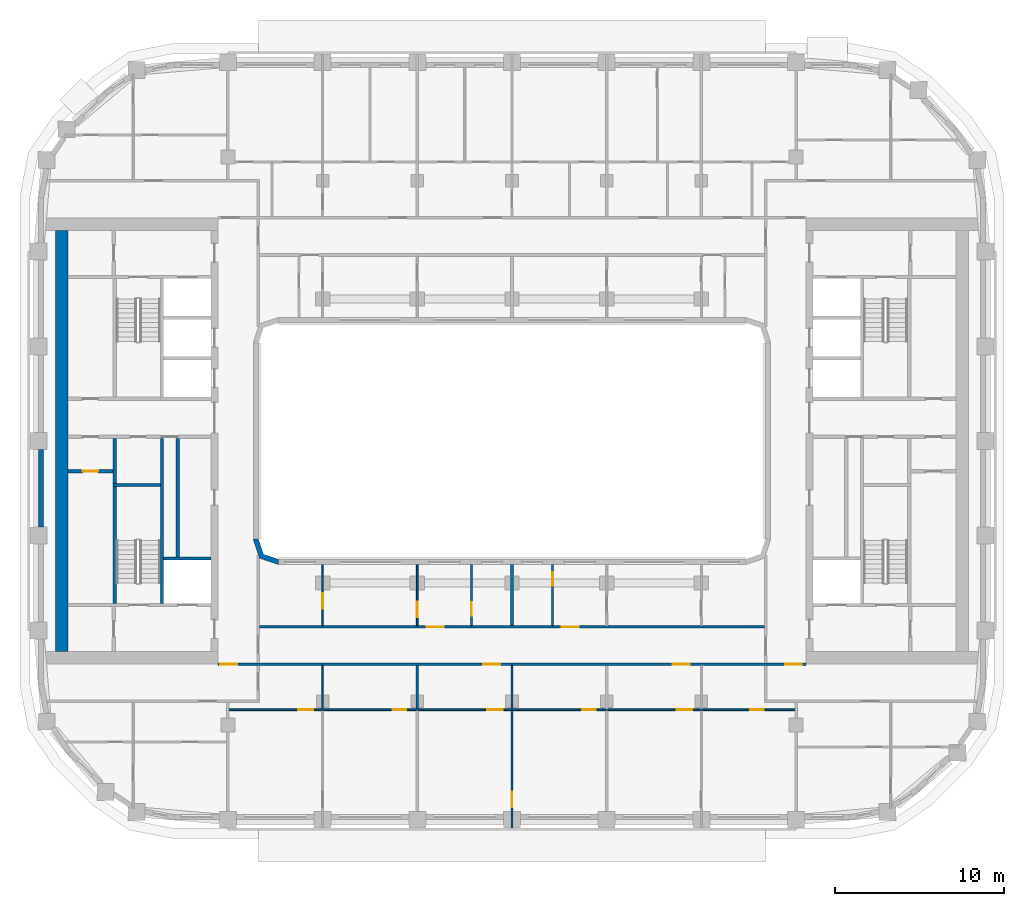
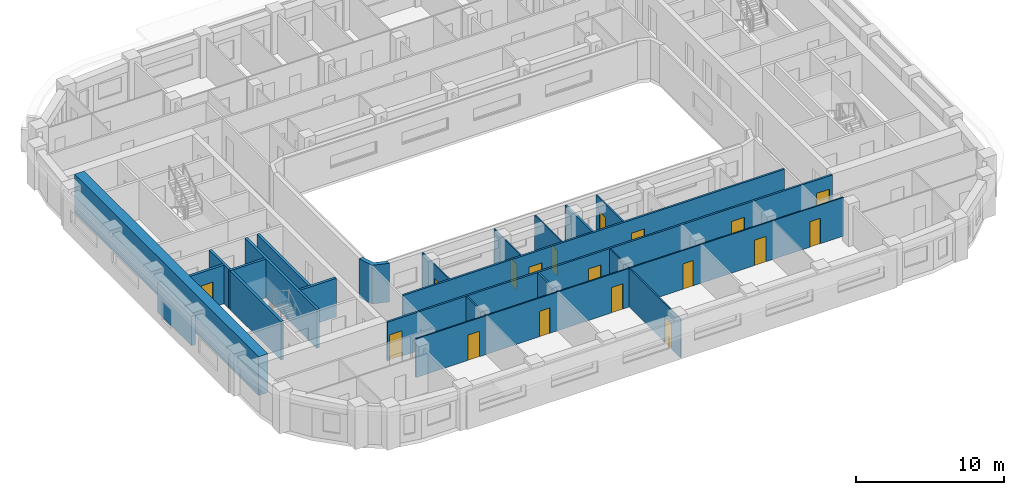
# One storey, part 3 of 22: 22 walls, 18 doors, 18 openings.
"""IFC4 building model written with IfcOpenShell, lengths in metres."""

from ifc_helpers import new_model, si_unit, direction, frame, frame_2d, origin, place, context, subcontext, project, spatial, polyline, rectangle, outline, extrude, material, layer, layer_set, type_object, element, fill, save


model = new_model("IFC4")

# Units and contexts
model_context = context("Model", 3, precision=1e-05, world=origin(), true_north=direction((0.0, 1.0)))
body_context = subcontext(model_context, "Body", "Model", "MODEL_VIEW")
ifc_project = project(units=[si_unit("LENGTHUNIT", "METRE"), si_unit("AREAUNIT", "SQUARE_METRE"), si_unit("VOLUMEUNIT", "CUBIC_METRE"), si_unit("PLANEANGLEUNIT", "RADIAN"), si_unit("MASSUNIT", "GRAM", prefix="KILO")], contexts=[model_context])

# Site, building, storey
site_placement = place(None, origin())
site = spatial("IfcSite", under=ifc_project, at=site_placement, CompositionType="ELEMENT")
building_placement = place(site_placement, origin())
building = spatial("IfcBuilding", under=site, at=building_placement, Name="Kiln Ring Residences", CompositionType="ELEMENT")
storey_placement = place(building_placement, frame((0.0, 0.0, 167.60009765625)))
storey = spatial("IfcBuildingStorey", under=building, at=storey_placement, Name="L43", CompositionType="ELEMENT", Elevation=167.60009765625)

# Walls
ifc_material_1 = material(Name="Gypsum board on steel studs", Category="steel")
ifc_layer_1 = layer(ifc_material_1, 0.199951171875)
ifc_layer_set_1 = layer_set([ifc_layer_1], Name="CORE-PARTITION-200")
wall_type_1 = type_object("IfcWallType", Name="CORE-PARTITION-200", PredefinedType="PARTITIONING", material=ifc_layer_set_1)
wall_1_placement = place(storey_placement, frame((-23.5, -2.5, 0.0), z_axis=(0.0, 0.0, 1.0), x_axis=(0.0, 1.0, 0.0)))
element("IfcWall", 1, at=wall_1_placement, inside=storey, type_object=wall_type_1, Name="Core partition west L43 1", PredefinedType="PARTITIONING", context=body_context, shape_type="SweptSolid", body=[
    extrude(rectangle(XDim=2.64990234375, YDim=0.199951171875, at=frame_2d((1.324951171875, 0.0))), origin(), (0.0, 0.0, 1.0), 3.199951171875),
])
wall_2_placement = place(storey_placement, frame((-19.760009765625, -6.85009765625, 0.0), z_axis=(0.0, 0.0, 1.0), x_axis=(0.0, 1.0, 0.0)))
element("IfcWall", 2, at=wall_2_placement, inside=storey, type_object=wall_type_1, Name="Core partition west L43 3", PredefinedType="PARTITIONING", context=body_context, shape_type="SweptSolid", body=[
    extrude(rectangle(XDim=7.0, YDim=0.199951171875, at=frame_2d((3.5, 0.0))), origin(), (0.0, 0.0, 1.0), 3.199951171875),
])

# Wall, opening, door
wall_3_placement = place(storey_placement, frame((-23.60009765625, -1.800048828125, 0.0), z_axis=(0.0, 0.0, 1.0), x_axis=(-1.0, 0.0, 0.0)))
wall_3 = element("IfcWall", 3, at=wall_3_placement, inside=storey, type_object=wall_type_1, Name="Core partition west L43 6", PredefinedType="PARTITIONING", context=body_context, shape_type="SweptSolid", body=[
    extrude(rectangle(XDim=2.64990234375, YDim=0.199951171875, at=frame_2d((1.324951171875, 0.0))), origin(), (0.0, 0.0, 1.0), 3.199951171875),
])
opening_1_placement = place(wall_3_placement, frame((0.875, 0.0, 0.0)))
opening_1 = element("IfcOpeningElement", 4, at=opening_1_placement, cuts=wall_3, Name="Opening L43-CW15", PredefinedType="OPENING", context=body_context, shape_type="SweptSolid", body=[
    extrude(rectangle(XDim=0.89990234375, YDim=2.10009765625, at=frame_2d((0.449951171875, 1.050048828125))), frame((0.0, 0.10986328125, 0.0), z_axis=(0.0, -1.0, 0.0), x_axis=(1.0, 0.0, 0.0)), (0.0, 0.0, 1.0), 0.219970703125),
])
ifc_material_2 = material(Name="Steel door leaf", Category="steel")
door_type_1 = type_object("IfcDoorType", Name="CORE-DOOR-ROOM", OperationType="SINGLE_SWING_LEFT", PredefinedType="DOOR", material=ifc_material_2)
door_1_placement = place(opening_1_placement, origin())
door_1 = element("IfcDoor", 5, at=door_1_placement, inside=storey, type_object=door_type_1, Name="Pump and valve room L43-CW15", OperationType="SINGLE_SWING_RIGHT", OverallHeight=2.10009765625, OverallWidth=0.89990234375, PredefinedType="DOOR", context=body_context, shape_type="SweptSolid", body=[
    extrude(rectangle(XDim=0.89990234375, YDim=2.10009765625, at=frame_2d((0.449951171875, 1.050048828125))), frame((0.0, 0.02490234375, 0.0), z_axis=(0.0, -1.0, 0.0), x_axis=(1.0, 0.0, 0.0)), (0.0, 0.0, 1.0), 0.050048828125),
])
fill(opening_1, door_1)

# Walls
ifc_material_3 = material(Name="Gypsum shaft wall system")
ifc_layer_2 = layer(ifc_material_3, 0.199951171875)
ifc_layer_set_2 = layer_set([ifc_layer_2], Name="CORE-SHAFT-WALL-200")
wall_type_2 = type_object("IfcWallType", Name="CORE-SHAFT-WALL-200", PredefinedType="PARTITIONING", material=ifc_layer_set_2)
wall_4_placement = place(storey_placement, frame((-17.800048828125, -6.949951171875, 0.0), z_axis=(0.0, 0.0, 1.0), x_axis=(-1.0, 0.0, 0.0)))
element("IfcWall", 6, at=wall_4_placement, inside=storey, type_object=wall_type_2, Name="Core partition west L43 7", PredefinedType="PARTITIONING", context=body_context, shape_type="SweptSolid", body=[
    extrude(rectangle(XDim=2.800048828125, YDim=0.199951171875, at=frame_2d((1.39990234375, 0.0))), origin(), (0.0, 0.0, 1.0), 3.199951171875),
])
ifc_material_4 = material(Name="Concrete C40/50", Category="concrete")
ifc_layer_3 = layer(ifc_material_4, 0.199951171875)
ifc_layer_set_3 = layer_set([ifc_layer_3], Name="CORE-WALL-RC200")
wall_type_3 = type_object("IfcWallType", Name="CORE-WALL-RC200", PredefinedType="SHEAR", material=ifc_layer_set_3)
wall_5_placement = place(storey_placement, frame((-20.699951171875, -9.60009765625, 0.0), z_axis=(0.0, 0.0, 1.0), x_axis=(0.0, 1.0, 0.0)))
element("IfcWall", 7, at=wall_5_placement, inside=storey, type_object=wall_type_3, Name="Core wall west L43 2", PredefinedType="SHEAR", context=body_context, shape_type="SweptSolid", body=[
    extrude(rectangle(XDim=9.75, YDim=0.199951171875, at=frame_2d((4.875, 0.0))), origin(), (0.0, 0.0, 1.0), 3.199951171875),
])
wall_6_placement = place(storey_placement, frame((-23.5, -9.60009765625, 0.0), z_axis=(0.0, 0.0, 1.0), x_axis=(0.0, 1.0, 0.0)))
element("IfcWall", 8, at=wall_6_placement, inside=storey, type_object=wall_type_3, Name="Core wall west L43 11", PredefinedType="SHEAR", context=body_context, shape_type="SweptSolid", body=[
    extrude(rectangle(XDim=6.900146484375, YDim=0.199951171875, at=frame_2d((3.4501953125, 0.0))), origin(), (0.0, 0.0, 1.0), 3.199951171875),
])
wall_7_placement = place(storey_placement, frame((-20.800048828125, -2.60009765625, 0.0), z_axis=(0.0, 0.0, 1.0), x_axis=(-1.0, 0.0, 0.0)))
element("IfcWall", 9, at=wall_7_placement, inside=storey, type_object=wall_type_3, Name="Core wall west L43 12", PredefinedType="SHEAR", context=body_context, shape_type="SweptSolid", body=[
    extrude(rectangle(XDim=2.800048828125, YDim=0.199951171875, at=frame_2d((1.39990234375, 0.0))), origin(), (0.0, 0.0, 1.0), 3.199951171875),
])
ifc_material_5 = material(Name="Concrete C60/75", Category="concrete")
ifc_layer_4 = layer(ifc_material_5, 0.75)
ifc_layer_set_4 = layer_set([ifc_layer_4], Name="CORE-WALL-RC750")
wall_type_4 = type_object("IfcWallType", Name="CORE-WALL-RC750", PredefinedType="SHEAR", material=ifc_layer_set_4)
wall_8_placement = place(storey_placement, frame((-26.625, -12.449951171875, 0.0), z_axis=(0.0, 0.0, 1.0), x_axis=(0.0, 1.0, 0.0)))
element("IfcWall", 10, at=wall_8_placement, inside=storey, type_object=wall_type_4, Name="Core wall west L43 7", PredefinedType="SHEAR", context=body_context, shape_type="SweptSolid", body=[
    extrude(rectangle(XDim=24.89990234375, YDim=0.75, at=frame_2d((12.449951171875, 0.0))), origin(), (0.0, 0.0, 1.0), 3.199951171875),
])
ifc_material_6 = material(Name="Brick masonry, dark clay brick", Category="masonry")
ifc_layer_5 = layer(ifc_material_6, 0.300048828125)
ifc_layer_set_5 = layer_set([ifc_layer_5], Name="EW-300 BRICK WALL")
wall_type_5 = type_object("IfcWallType", Name="EW-300 BRICK WALL", PredefinedType="SOLIDWALL", material=ifc_layer_set_5)
wall_9_placement = place(storey_placement, frame((-27.85009765625, -0.5, 0.0), z_axis=(0.0, 0.0, 1.0), x_axis=(0.0, -1.0, 0.0)))
element("IfcWall", 11, at=wall_9_placement, inside=storey, type_object=wall_type_5, Name="Facade wall L43 44", PredefinedType="SOLIDWALL", context=body_context, shape_type="SweptSolid", body=[
    extrude(rectangle(XDim=4.60009765625, YDim=0.300048828125, at=frame_2d((2.300048828125, 0.0))), origin(), (0.0, 0.0, 1.0), 2.449951171875),
])
wall_10_placement = place(storey_placement, origin())
element("IfcWall", 12, at=wall_10_placement, inside=storey, type_object=wall_type_5, Name="Corner wall L43 4", PredefinedType="SOLIDWALL", context=body_context, shape_type="SweptSolid", body=[
    extrude(outline(polyline([(-14.937255859375, -6.937255859375), (-13.8486328125, -7.300048828125), (-13.800048828125, -7.300048828125), (-13.800048828125, -7.0), (-14.699951171875, -6.699951171875), (-15.0, -5.800048828125), (-15.300048828125, -5.800048828125), (-15.300048828125, -5.8486328125), (-14.937255859375, -6.937255859375)])), origin(), (0.0, 0.0, 1.0), 3.199951171875),
])

# Wall, openings, doors
ifc_material_7 = material(Name="Gypsum board on steel studs", Category="steel")
ifc_layer_6 = layer(ifc_material_7, 0.10009765625)
ifc_layer_set_6 = layer_set([ifc_layer_6], Name="PARTITION-100")
wall_type_6 = type_object("IfcWallType", Name="PARTITION-100", PredefinedType="PARTITIONING", material=ifc_layer_set_6)
wall_11_placement = place(storey_placement, frame((-16.72509765625, -15.89990234375, 0.0), z_axis=(0.0, 0.0, 1.0), x_axis=(1.0, 0.0, 0.0)))
wall_11 = element("IfcWall", 13, at=wall_11_placement, inside=storey, type_object=wall_type_6, Name="Partition 002", PredefinedType="PARTITIONING", context=body_context, shape_type="SweptSolid", body=[
    extrude(rectangle(XDim=33.4501953125, YDim=0.10009765625, at=frame_2d((16.72509765625, 0.0))), origin(), (0.0, 0.0, 1.0), 3.199951171875),
])
opening_2_placement = place(wall_11_placement, frame((9.675048828125, 0.0, 0.0)))
opening_2 = element("IfcOpeningElement", 14, at=opening_2_placement, cuts=wall_11, Name="Opening L43-D053", PredefinedType="OPENING", context=body_context, shape_type="SweptSolid", body=[
    extrude(rectangle(XDim=0.800048828125, YDim=2.10009765625, at=frame_2d((0.39990234375, 1.050048828125))), frame((0.0, 0.06005859375, 0.0), z_axis=(0.0, -1.0, 0.0), x_axis=(1.0, 0.0, 0.0)), (0.0, 0.0, 1.0), 0.1201171875),
])
opening_3_placement = place(wall_11_placement, frame((4.074951171875, 0.0, 0.0)))
opening_3 = element("IfcOpeningElement", 15, at=opening_3_placement, cuts=wall_11, Name="Opening L43-D054", PredefinedType="OPENING", context=body_context, shape_type="SweptSolid", body=[
    extrude(rectangle(XDim=0.89990234375, YDim=2.10009765625, at=frame_2d((0.449951171875, 1.050048828125))), frame((0.0, 0.06005859375, 0.0), z_axis=(0.0, -1.0, 0.0), x_axis=(1.0, 0.0, 0.0)), (0.0, 0.0, 1.0), 0.1201171875),
])
opening_4_placement = place(wall_11_placement, frame((20.875, 0.0, 0.0)))
opening_4 = element("IfcOpeningElement", 16, at=opening_4_placement, cuts=wall_11, Name="Opening L43-D057", PredefinedType="OPENING", context=body_context, shape_type="SweptSolid", body=[
    extrude(rectangle(XDim=0.800048828125, YDim=2.10009765625, at=frame_2d((0.39990234375, 1.050048828125))), frame((0.0, 0.06005859375, 0.0), z_axis=(0.0, -1.0, 0.0), x_axis=(1.0, 0.0, 0.0)), (0.0, 0.0, 1.0), 0.1201171875),
])
opening_5_placement = place(wall_11_placement, frame((15.27490234375, 0.0, 0.0)))
opening_5 = element("IfcOpeningElement", 17, at=opening_5_placement, cuts=wall_11, Name="Opening L43-D058", PredefinedType="OPENING", context=body_context, shape_type="SweptSolid", body=[
    extrude(rectangle(XDim=0.89990234375, YDim=2.10009765625, at=frame_2d((0.449951171875, 1.050048828125))), frame((0.0, 0.06005859375, 0.0), z_axis=(0.0, -1.0, 0.0), x_axis=(1.0, 0.0, 0.0)), (0.0, 0.0, 1.0), 0.1201171875),
])
opening_6_placement = place(wall_11_placement, frame((30.824951171875, 0.0, 0.0)))
opening_6 = element("IfcOpeningElement", 18, at=opening_6_placement, cuts=wall_11, Name="Opening L43-D061", PredefinedType="OPENING", context=body_context, shape_type="SweptSolid", body=[
    extrude(rectangle(XDim=0.800048828125, YDim=2.10009765625, at=frame_2d((0.39990234375, 1.050048828125))), frame((0.0, 0.06005859375, 0.0), z_axis=(0.0, -1.0, 0.0), x_axis=(1.0, 0.0, 0.0)), (0.0, 0.0, 1.0), 0.1201171875),
])
opening_7_placement = place(wall_11_placement, frame((26.47509765625, 0.0, 0.0)))
opening_7 = element("IfcOpeningElement", 19, at=opening_7_placement, cuts=wall_11, Name="Opening L43-D062", PredefinedType="OPENING", context=body_context, shape_type="SweptSolid", body=[
    extrude(rectangle(XDim=0.89990234375, YDim=2.10009765625, at=frame_2d((0.449951171875, 1.050048828125))), frame((0.0, 0.06005859375, 0.0), z_axis=(0.0, -1.0, 0.0), x_axis=(1.0, 0.0, 0.0)), (0.0, 0.0, 1.0), 0.1201171875),
])
ifc_material_8 = material(Name="Timber door leaf", Category="wood")
door_type_2 = type_object("IfcDoorType", Name="FLAT-DOOR-800-PL", OperationType="SINGLE_SWING_LEFT", PredefinedType="DOOR", material=ifc_material_8)
door_2_placement = place(opening_2_placement, origin())
door_2 = element("IfcDoor", 20, at=door_2_placement, inside=storey, type_object=door_type_2, Name="Door L43-D053", OperationType="SINGLE_SWING_LEFT", OverallHeight=2.10009765625, OverallWidth=0.800048828125, PredefinedType="DOOR", context=body_context, shape_type="SweptSolid", body=[
    extrude(rectangle(XDim=0.800048828125, YDim=2.10009765625, at=frame_2d((0.39990234375, 1.050048828125))), frame((0.0, 0.02490234375, 0.0), z_axis=(0.0, -1.0, 0.0), x_axis=(1.0, 0.0, 0.0)), (0.0, 0.0, 1.0), 0.050048828125),
])
fill(opening_2, door_2)
door_3_placement = place(opening_4_placement, origin())
door_3 = element("IfcDoor", 21, at=door_3_placement, inside=storey, type_object=door_type_2, Name="Door L43-D057", OperationType="SINGLE_SWING_LEFT", OverallHeight=2.10009765625, OverallWidth=0.800048828125, PredefinedType="DOOR", context=body_context, shape_type="SweptSolid", body=[
    extrude(rectangle(XDim=0.800048828125, YDim=2.10009765625, at=frame_2d((0.39990234375, 1.050048828125))), frame((0.0, 0.02490234375, 0.0), z_axis=(0.0, -1.0, 0.0), x_axis=(1.0, 0.0, 0.0)), (0.0, 0.0, 1.0), 0.050048828125),
])
fill(opening_4, door_3)
door_4_placement = place(opening_6_placement, origin())
door_4 = element("IfcDoor", 22, at=door_4_placement, inside=storey, type_object=door_type_2, Name="Door L43-D061", OperationType="SINGLE_SWING_LEFT", OverallHeight=2.10009765625, OverallWidth=0.800048828125, PredefinedType="DOOR", context=body_context, shape_type="SweptSolid", body=[
    extrude(rectangle(XDim=0.800048828125, YDim=2.10009765625, at=frame_2d((0.39990234375, 1.050048828125))), frame((0.0, 0.02490234375, 0.0), z_axis=(0.0, -1.0, 0.0), x_axis=(1.0, 0.0, 0.0)), (0.0, 0.0, 1.0), 0.050048828125),
])
fill(opening_6, door_4)
ifc_material_9 = material(Name="Timber door leaf", Category="wood")
door_type_3 = type_object("IfcDoorType", Name="FLAT-DOOR-900-PL", OperationType="SINGLE_SWING_LEFT", PredefinedType="DOOR", material=ifc_material_9)
door_5_placement = place(opening_3_placement, origin())
door_5 = element("IfcDoor", 23, at=door_5_placement, inside=storey, type_object=door_type_3, Name="Door L43-D054", OperationType="SINGLE_SWING_RIGHT", OverallHeight=2.10009765625, OverallWidth=0.89990234375, PredefinedType="DOOR", context=body_context, shape_type="SweptSolid", body=[
    extrude(rectangle(XDim=0.89990234375, YDim=2.10009765625, at=frame_2d((0.449951171875, 1.050048828125))), frame((0.0, 0.02490234375, 0.0), z_axis=(0.0, -1.0, 0.0), x_axis=(1.0, 0.0, 0.0)), (0.0, 0.0, 1.0), 0.050048828125),
])
fill(opening_3, door_5)
door_6_placement = place(opening_5_placement, origin())
door_6 = element("IfcDoor", 24, at=door_6_placement, inside=storey, type_object=door_type_3, Name="Door L43-D058", OperationType="SINGLE_SWING_RIGHT", OverallHeight=2.10009765625, OverallWidth=0.89990234375, PredefinedType="DOOR", context=body_context, shape_type="SweptSolid", body=[
    extrude(rectangle(XDim=0.89990234375, YDim=2.10009765625, at=frame_2d((0.449951171875, 1.050048828125))), frame((0.0, 0.02490234375, 0.0), z_axis=(0.0, -1.0, 0.0), x_axis=(1.0, 0.0, 0.0)), (0.0, 0.0, 1.0), 0.050048828125),
])
fill(opening_5, door_6)
door_7_placement = place(opening_7_placement, origin())
door_7 = element("IfcDoor", 25, at=door_7_placement, inside=storey, type_object=door_type_3, Name="Door L43-D062", OperationType="SINGLE_SWING_RIGHT", OverallHeight=2.10009765625, OverallWidth=0.89990234375, PredefinedType="DOOR", context=body_context, shape_type="SweptSolid", body=[
    extrude(rectangle(XDim=0.89990234375, YDim=2.10009765625, at=frame_2d((0.449951171875, 1.050048828125))), frame((0.0, 0.02490234375, 0.0), z_axis=(0.0, -1.0, 0.0), x_axis=(1.0, 0.0, 0.0)), (0.0, 0.0, 1.0), 0.050048828125),
])
fill(opening_7, door_7)

# Wall
wall_12_placement = place(storey_placement, frame((-11.199951171875, -15.85009765625, 0.0), z_axis=(0.0, 0.0, 1.0), x_axis=(0.0, 1.0, 0.0)))
element("IfcWall", 26, at=wall_12_placement, inside=storey, type_object=wall_type_6, Name="Partition 027", PredefinedType="PARTITIONING", context=body_context, shape_type="SweptSolid", body=[
    extrude(rectangle(XDim=2.5751953125, YDim=0.10009765625, at=frame_2d((1.28759765625, 0.0))), origin(), (0.0, 0.0, 1.0), 3.199951171875),
])

# Wall, opening, door
wall_13_placement = place(storey_placement, frame((-11.199951171875, -10.925048828125, 0.0), z_axis=(0.0, 0.0, 1.0), x_axis=(0.0, 1.0, 0.0)))
wall_13 = element("IfcWall", 27, at=wall_13_placement, inside=storey, type_object=wall_type_6, Name="Partition 028", PredefinedType="PARTITIONING", context=body_context, shape_type="SweptSolid", body=[
    extrude(rectangle(XDim=3.60498046875, YDim=0.10009765625, at=frame_2d((1.802490234375, 0.0))), origin(), (0.0, 0.0, 1.0), 3.199951171875),
])
opening_8_placement = place(wall_13_placement, frame((1.0048828125, 0.0, 0.0)))
opening_8 = element("IfcOpeningElement", 28, at=opening_8_placement, cuts=wall_13, Name="Opening L43-D047", PredefinedType="OPENING", context=body_context, shape_type="SweptSolid", body=[
    extrude(rectangle(XDim=0.89990234375, YDim=2.10009765625, at=frame_2d((0.449951171875, 1.050048828125))), frame((0.0, 0.06005859375, 0.0), z_axis=(0.0, -1.0, 0.0), x_axis=(1.0, 0.0, 0.0)), (0.0, 0.0, 1.0), 0.1201171875),
])
door_8_placement = place(opening_8_placement, origin())
door_8 = element("IfcDoor", 29, at=door_8_placement, inside=storey, type_object=door_type_3, Name="Door L43-D047", OperationType="SINGLE_SWING_RIGHT", OverallHeight=2.10009765625, OverallWidth=0.89990234375, PredefinedType="DOOR", context=body_context, shape_type="SweptSolid", body=[
    extrude(rectangle(XDim=0.89990234375, YDim=2.10009765625, at=frame_2d((0.449951171875, 1.050048828125))), frame((0.0, 0.02490234375, 0.0), z_axis=(0.0, -1.0, 0.0), x_axis=(1.0, 0.0, 0.0)), (0.0, 0.0, 1.0), 0.050048828125),
])
fill(opening_8, door_8)

wall_14_placement = place(storey_placement, frame((-5.60009765625, -10.925048828125, 0.0), z_axis=(0.0, 0.0, 1.0), x_axis=(0.0, 1.0, 0.0)))
wall_14 = element("IfcWall", 30, at=wall_14_placement, inside=storey, type_object=wall_type_6, Name="Partition 033", PredefinedType="PARTITIONING", context=body_context, shape_type="SweptSolid", body=[
    extrude(rectangle(XDim=3.60498046875, YDim=0.10009765625, at=frame_2d((1.802490234375, 0.0))), origin(), (0.0, 0.0, 1.0), 3.199951171875),
])
opening_9_placement = place(wall_14_placement, frame((0.5048828125, 0.0, 0.0)))
opening_9 = element("IfcOpeningElement", 31, at=opening_9_placement, cuts=wall_14, Name="Opening L43-D046", PredefinedType="OPENING", context=body_context, shape_type="SweptSolid", body=[
    extrude(rectangle(XDim=0.89990234375, YDim=2.10009765625, at=frame_2d((0.449951171875, 1.050048828125))), frame((0.0, 0.06005859375, 0.0), z_axis=(0.0, -1.0, 0.0), x_axis=(1.0, 0.0, 0.0)), (0.0, 0.0, 1.0), 0.1201171875),
])
door_9_placement = place(opening_9_placement, origin())
door_9 = element("IfcDoor", 32, at=door_9_placement, inside=storey, type_object=door_type_3, Name="Door L43-D046", OperationType="SINGLE_SWING_RIGHT", OverallHeight=2.10009765625, OverallWidth=0.89990234375, PredefinedType="DOOR", context=body_context, shape_type="SweptSolid", body=[
    extrude(rectangle(XDim=0.89990234375, YDim=2.10009765625, at=frame_2d((0.449951171875, 1.050048828125))), frame((0.0, 0.02490234375, 0.0), z_axis=(0.0, -1.0, 0.0), x_axis=(1.0, 0.0, 0.0)), (0.0, 0.0, 1.0), 0.050048828125),
])
fill(opening_9, door_9)

wall_15_placement = place(storey_placement, frame((-2.39990234375, -10.925048828125, 0.0), z_axis=(0.0, 0.0, 1.0), x_axis=(0.0, 1.0, 0.0)))
wall_15 = element("IfcWall", 33, at=wall_15_placement, inside=storey, type_object=wall_type_6, Name="Partition 040", PredefinedType="PARTITIONING", context=body_context, shape_type="SweptSolid", body=[
    extrude(rectangle(XDim=3.60498046875, YDim=0.10009765625, at=frame_2d((1.802490234375, 0.0))), origin(), (0.0, 0.0, 1.0), 3.199951171875),
])
opening_10_placement = place(wall_15_placement, frame((0.575927734375, 0.0, 0.0)))
opening_10 = element("IfcOpeningElement", 34, at=opening_10_placement, cuts=wall_15, Name="Opening L43-D045", PredefinedType="OPENING", context=body_context, shape_type="SweptSolid", body=[
    extrude(rectangle(XDim=0.800048828125, YDim=2.10009765625, at=frame_2d((0.39990234375, 1.050048828125))), frame((0.0, 0.06005859375, 0.0), z_axis=(0.0, -1.0, 0.0), x_axis=(1.0, 0.0, 0.0)), (0.0, 0.0, 1.0), 0.1201171875),
])
door_10_placement = place(opening_10_placement, origin())
door_10 = element("IfcDoor", 35, at=door_10_placement, inside=storey, type_object=door_type_2, Name="Door L43-D045", OperationType="SINGLE_SWING_LEFT", OverallHeight=2.10009765625, OverallWidth=0.800048828125, PredefinedType="DOOR", context=body_context, shape_type="SweptSolid", body=[
    extrude(rectangle(XDim=0.800048828125, YDim=2.10009765625, at=frame_2d((0.39990234375, 1.050048828125))), frame((0.0, 0.02490234375, 0.0), z_axis=(0.0, -1.0, 0.0), x_axis=(1.0, 0.0, 0.0)), (0.0, 0.0, 1.0), 0.050048828125),
])
fill(opening_10, door_10)

wall_16_placement = place(storey_placement, frame((0.0, -22.8798828125, 0.0), z_axis=(0.0, 0.0, 1.0), x_axis=(0.0, 1.0, 0.0)))
wall_16 = element("IfcWall", 36, at=wall_16_placement, inside=storey, type_object=wall_type_6, Name="Partition 041", PredefinedType="PARTITIONING", context=body_context, shape_type="SweptSolid", body=[
    extrude(rectangle(XDim=6.929931640625, YDim=0.10009765625, at=frame_2d((3.46484375, 0.0))), origin(), (0.0, 0.0, 1.0), 3.199951171875),
])
opening_11_placement = place(wall_16_placement, frame((1.219970703125, 0.0, 0.0)))
opening_11 = element("IfcOpeningElement", 37, at=opening_11_placement, cuts=wall_16, Name="Opening L43-D059", PredefinedType="OPENING", context=body_context, shape_type="SweptSolid", body=[
    extrude(rectangle(XDim=0.89990234375, YDim=2.10009765625, at=frame_2d((0.449951171875, 1.050048828125))), frame((0.0, 0.06005859375, 0.0), z_axis=(0.0, -1.0, 0.0), x_axis=(1.0, 0.0, 0.0)), (0.0, 0.0, 1.0), 0.1201171875),
])
door_11_placement = place(opening_11_placement, origin())
door_11 = element("IfcDoor", 38, at=door_11_placement, inside=storey, type_object=door_type_3, Name="Door L43-D059", OperationType="SINGLE_SWING_LEFT", OverallHeight=2.10009765625, OverallWidth=0.89990234375, PredefinedType="DOOR", context=body_context, shape_type="SweptSolid", body=[
    extrude(rectangle(XDim=0.89990234375, YDim=2.10009765625, at=frame_2d((0.449951171875, 1.050048828125))), frame((0.0, 0.02490234375, 0.0), z_axis=(0.0, -1.0, 0.0), x_axis=(1.0, 0.0, 0.0)), (0.0, 0.0, 1.0), 0.050048828125),
])
fill(opening_11, door_11)

# Wall
wall_17_placement = place(storey_placement, frame((0.0, -15.85009765625, 0.0), z_axis=(0.0, 0.0, 1.0), x_axis=(0.0, 1.0, 0.0)))
element("IfcWall", 39, at=wall_17_placement, inside=storey, type_object=wall_type_6, Name="Partition 042", PredefinedType="PARTITIONING", context=body_context, shape_type="SweptSolid", body=[
    extrude(rectangle(XDim=2.5751953125, YDim=0.10009765625, at=frame_2d((1.28759765625, 0.0))), origin(), (0.0, 0.0, 1.0), 3.199951171875),
])

# Wall, opening, door
wall_18_placement = place(storey_placement, frame((2.39990234375, -10.925048828125, 0.0), z_axis=(0.0, 0.0, 1.0), x_axis=(0.0, 1.0, 0.0)))
wall_18 = element("IfcWall", 40, at=wall_18_placement, inside=storey, type_object=wall_type_6, Name="Partition 047", PredefinedType="PARTITIONING", context=body_context, shape_type="SweptSolid", body=[
    extrude(rectangle(XDim=3.60498046875, YDim=0.10009765625, at=frame_2d((1.802490234375, 0.0))), origin(), (0.0, 0.0, 1.0), 3.199951171875),
])
opening_12_placement = place(wall_18_placement, frame((2.35498046875, 0.0, 0.0)))
opening_12 = element("IfcOpeningElement", 41, at=opening_12_placement, cuts=wall_18, Name="Opening L43-D049", PredefinedType="OPENING", context=body_context, shape_type="SweptSolid", body=[
    extrude(rectangle(XDim=0.800048828125, YDim=2.10009765625, at=frame_2d((0.39990234375, 1.050048828125))), frame((0.0, 0.06005859375, 0.0), z_axis=(0.0, -1.0, 0.0), x_axis=(1.0, 0.0, 0.0)), (0.0, 0.0, 1.0), 0.1201171875),
])
door_12_placement = place(opening_12_placement, origin())
door_12 = element("IfcDoor", 42, at=door_12_placement, inside=storey, type_object=door_type_2, Name="Door L43-D049", OperationType="SINGLE_SWING_LEFT", OverallHeight=2.10009765625, OverallWidth=0.800048828125, PredefinedType="DOOR", context=body_context, shape_type="SweptSolid", body=[
    extrude(rectangle(XDim=0.800048828125, YDim=2.10009765625, at=frame_2d((0.39990234375, 1.050048828125))), frame((0.0, 0.02490234375, 0.0), z_axis=(0.0, -1.0, 0.0), x_axis=(1.0, 0.0, 0.0)), (0.0, 0.0, 1.0), 0.050048828125),
])
fill(opening_12, door_12)

# Wall, openings, doors
ifc_material_10 = material(Name="Brick masonry partition", Category="masonry")
ifc_layer_7 = layer(ifc_material_10, 0.14990234375)
ifc_layer_set_7 = layer_set([ifc_layer_7], Name="PARTITION-150-ei60")
wall_type_7 = type_object("IfcWallType", Name="PARTITION-150-ei60", PredefinedType="PARTITIONING", material=ifc_layer_set_7)
wall_19_placement = place(storey_placement, frame((-17.39990234375, -13.199951171875, 0.0), z_axis=(0.0, 0.0, 1.0), x_axis=(1.0, 0.0, 0.0)))
wall_19 = element("IfcWall", 43, at=wall_19_placement, inside=storey, type_object=wall_type_7, Name="Partition 005", PredefinedType="PARTITIONING", context=body_context, shape_type="SweptSolid", body=[
    extrude(rectangle(XDim=34.7998046875, YDim=0.14990234375, at=frame_2d((17.39990234375, 0.0))), origin(), (0.0, 0.0, 1.0), 3.199951171875),
])
opening_13_placement = place(wall_19_placement, frame((0.14990234375, 0.0, 0.0)))
opening_13 = element("IfcOpeningElement", 44, at=opening_13_placement, cuts=wall_19, Name="Opening L43-D007", PredefinedType="OPENING", context=body_context, shape_type="SweptSolid", body=[
    extrude(rectangle(XDim=1.0, YDim=2.10009765625, at=frame_2d((0.5, 1.050048828125))), frame((0.0, 0.0849609375, 0.0), z_axis=(0.0, -1.0, 0.0), x_axis=(1.0, 0.0, 0.0)), (0.0, 0.0, 1.0), 0.169921875),
])
opening_14_placement = place(wall_19_placement, frame((33.550048828125, 0.0, 0.0)))
opening_14 = element("IfcOpeningElement", 45, at=opening_14_placement, cuts=wall_19, Name="Opening L43-D008", PredefinedType="OPENING", context=body_context, shape_type="SweptSolid", body=[
    extrude(rectangle(XDim=1.0, YDim=2.10009765625, at=frame_2d((0.5, 1.050048828125))), frame((0.0, 0.0849609375, 0.0), z_axis=(0.0, -1.0, 0.0), x_axis=(1.0, 0.0, 0.0)), (0.0, 0.0, 1.0), 0.169921875),
])
opening_15_placement = place(wall_19_placement, frame((15.699951171875, 0.0, 0.0)))
opening_15 = element("IfcOpeningElement", 46, at=opening_15_placement, cuts=wall_19, Name="Opening L43-D056", PredefinedType="OPENING", context=body_context, shape_type="SweptSolid", body=[
    extrude(rectangle(XDim=1.0, YDim=2.10009765625, at=frame_2d((0.5, 1.050048828125))), frame((0.0, 0.0849609375, 0.0), z_axis=(0.0, -1.0, 0.0), x_axis=(1.0, 0.0, 0.0)), (0.0, 0.0, 1.0), 0.169921875),
])
opening_16_placement = place(wall_19_placement, frame((26.89990234375, 0.0, 0.0)))
opening_16 = element("IfcOpeningElement", 47, at=opening_16_placement, cuts=wall_19, Name="Opening L43-D060", PredefinedType="OPENING", context=body_context, shape_type="SweptSolid", body=[
    extrude(rectangle(XDim=1.0, YDim=2.10009765625, at=frame_2d((0.5, 1.050048828125))), frame((0.0, 0.0849609375, 0.0), z_axis=(0.0, -1.0, 0.0), x_axis=(1.0, 0.0, 0.0)), (0.0, 0.0, 1.0), 0.169921875),
])
ifc_material_11 = material(Name="Steel faced fire door leaf", Category="steel")
door_type_4 = type_object("IfcDoorType", Name="FLAT-DOOR-1000-FR", OperationType="SINGLE_SWING_LEFT", PredefinedType="DOOR", material=ifc_material_11)
door_13_placement = place(opening_13_placement, origin())
door_13 = element("IfcDoor", 48, at=door_13_placement, inside=storey, type_object=door_type_4, Name="Door L43-D007", OperationType="SINGLE_SWING_RIGHT", OverallHeight=2.10009765625, OverallWidth=1.0, PredefinedType="DOOR", context=body_context, shape_type="SweptSolid", body=[
    extrude(rectangle(XDim=1.0, YDim=2.10009765625, at=frame_2d((0.5, 1.050048828125))), frame((0.0, 0.02490234375, 0.0), z_axis=(0.0, -1.0, 0.0), x_axis=(1.0, 0.0, 0.0)), (0.0, 0.0, 1.0), 0.050048828125),
])
fill(opening_13, door_13)
door_14_placement = place(opening_14_placement, origin())
door_14 = element("IfcDoor", 49, at=door_14_placement, inside=storey, type_object=door_type_4, Name="Door L43-D008", OperationType="SINGLE_SWING_LEFT", OverallHeight=2.10009765625, OverallWidth=1.0, PredefinedType="DOOR", context=body_context, shape_type="SweptSolid", body=[
    extrude(rectangle(XDim=1.0, YDim=2.10009765625, at=frame_2d((0.5, 1.050048828125))), frame((0.0, 0.02490234375, 0.0), z_axis=(0.0, -1.0, 0.0), x_axis=(1.0, 0.0, 0.0)), (0.0, 0.0, 1.0), 0.050048828125),
])
fill(opening_14, door_14)
door_15_placement = place(opening_15_placement, origin())
door_15 = element("IfcDoor", 50, at=door_15_placement, inside=storey, type_object=door_type_4, Name="Door L43-D056", OperationType="SINGLE_SWING_RIGHT", OverallHeight=2.10009765625, OverallWidth=1.0, PredefinedType="DOOR", context=body_context, shape_type="SweptSolid", body=[
    extrude(rectangle(XDim=1.0, YDim=2.10009765625, at=frame_2d((0.5, 1.050048828125))), frame((0.0, 0.02490234375, 0.0), z_axis=(0.0, -1.0, 0.0), x_axis=(1.0, 0.0, 0.0)), (0.0, 0.0, 1.0), 0.050048828125),
])
fill(opening_15, door_15)
door_16_placement = place(opening_16_placement, origin())
door_16 = element("IfcDoor", 51, at=door_16_placement, inside=storey, type_object=door_type_4, Name="Door L43-D060", OperationType="SINGLE_SWING_RIGHT", OverallHeight=2.10009765625, OverallWidth=1.0, PredefinedType="DOOR", context=body_context, shape_type="SweptSolid", body=[
    extrude(rectangle(XDim=1.0, YDim=2.10009765625, at=frame_2d((0.5, 1.050048828125))), frame((0.0, 0.02490234375, 0.0), z_axis=(0.0, -1.0, 0.0), x_axis=(1.0, 0.0, 0.0)), (0.0, 0.0, 1.0), 0.050048828125),
])
fill(opening_16, door_16)

wall_20_placement = place(storey_placement, frame((-14.925048828125, -11.0, 0.0), z_axis=(0.0, 0.0, 1.0), x_axis=(1.0, 0.0, 0.0)))
wall_20 = element("IfcWall", 52, at=wall_20_placement, inside=storey, type_object=wall_type_7, Name="Partition 006", PredefinedType="PARTITIONING", context=body_context, shape_type="SweptSolid", body=[
    extrude(rectangle(XDim=29.85009765625, YDim=0.14990234375, at=frame_2d((14.925048828125, 0.0))), origin(), (0.0, 0.0, 1.0), 3.199951171875),
])
opening_17_placement = place(wall_20_placement, frame((9.875, 0.0, 0.0)))
opening_17 = element("IfcOpeningElement", 53, at=opening_17_placement, cuts=wall_20, Name="Opening L43-D044", PredefinedType="OPENING", context=body_context, shape_type="SweptSolid", body=[
    extrude(rectangle(XDim=1.0, YDim=2.10009765625, at=frame_2d((0.5, 1.050048828125))), frame((0.0, 0.0849609375, 0.0), z_axis=(0.0, -1.0, 0.0), x_axis=(1.0, 0.0, 0.0)), (0.0, 0.0, 1.0), 0.169921875),
])
opening_18_placement = place(wall_20_placement, frame((17.875, 0.0, 0.0)))
opening_18 = element("IfcOpeningElement", 54, at=opening_18_placement, cuts=wall_20, Name="Opening L43-D048", PredefinedType="OPENING", context=body_context, shape_type="SweptSolid", body=[
    extrude(rectangle(XDim=1.0, YDim=2.10009765625, at=frame_2d((0.5, 1.050048828125))), frame((0.0, 0.0849609375, 0.0), z_axis=(0.0, -1.0, 0.0), x_axis=(1.0, 0.0, 0.0)), (0.0, 0.0, 1.0), 0.169921875),
])
door_17_placement = place(opening_17_placement, origin())
door_17 = element("IfcDoor", 55, at=door_17_placement, inside=storey, type_object=door_type_4, Name="Door L43-D044", OperationType="SINGLE_SWING_RIGHT", OverallHeight=2.10009765625, OverallWidth=1.0, PredefinedType="DOOR", context=body_context, shape_type="SweptSolid", body=[
    extrude(rectangle(XDim=1.0, YDim=2.10009765625, at=frame_2d((0.5, 1.050048828125))), frame((0.0, 0.02490234375, 0.0), z_axis=(0.0, -1.0, 0.0), x_axis=(1.0, 0.0, 0.0)), (0.0, 0.0, 1.0), 0.050048828125),
])
fill(opening_17, door_17)
door_18_placement = place(opening_18_placement, origin())
door_18 = element("IfcDoor", 56, at=door_18_placement, inside=storey, type_object=door_type_4, Name="Door L43-D048", OperationType="SINGLE_SWING_RIGHT", OverallHeight=2.10009765625, OverallWidth=1.0, PredefinedType="DOOR", context=body_context, shape_type="SweptSolid", body=[
    extrude(rectangle(XDim=1.0, YDim=2.10009765625, at=frame_2d((0.5, 1.050048828125))), frame((0.0, 0.02490234375, 0.0), z_axis=(0.0, -1.0, 0.0), x_axis=(1.0, 0.0, 0.0)), (0.0, 0.0, 1.0), 0.050048828125),
])
fill(opening_18, door_18)

# Walls
wall_21_placement = place(storey_placement, frame((-5.60009765625, -15.85009765625, 0.0), z_axis=(0.0, 0.0, 1.0), x_axis=(0.0, 1.0, 0.0)))
element("IfcWall", 57, at=wall_21_placement, inside=storey, type_object=wall_type_7, Name="Partition 036", PredefinedType="PARTITIONING", context=body_context, shape_type="SweptSolid", body=[
    extrude(rectangle(XDim=2.5751953125, YDim=0.14990234375, at=frame_2d((1.28759765625, 0.0))), origin(), (0.0, 0.0, 1.0), 3.199951171875),
])
wall_22_placement = place(storey_placement, frame((0.0, -10.925048828125, 0.0), z_axis=(0.0, 0.0, 1.0), x_axis=(0.0, 1.0, 0.0)))
element("IfcWall", 58, at=wall_22_placement, inside=storey, type_object=wall_type_7, Name="Partition 045", PredefinedType="PARTITIONING", context=body_context, shape_type="SweptSolid", body=[
    extrude(rectangle(XDim=3.60498046875, YDim=0.14990234375, at=frame_2d((1.802490234375, 0.0))), origin(), (0.0, 0.0, 1.0), 3.199951171875),
])

save(model, "model.ifc")
